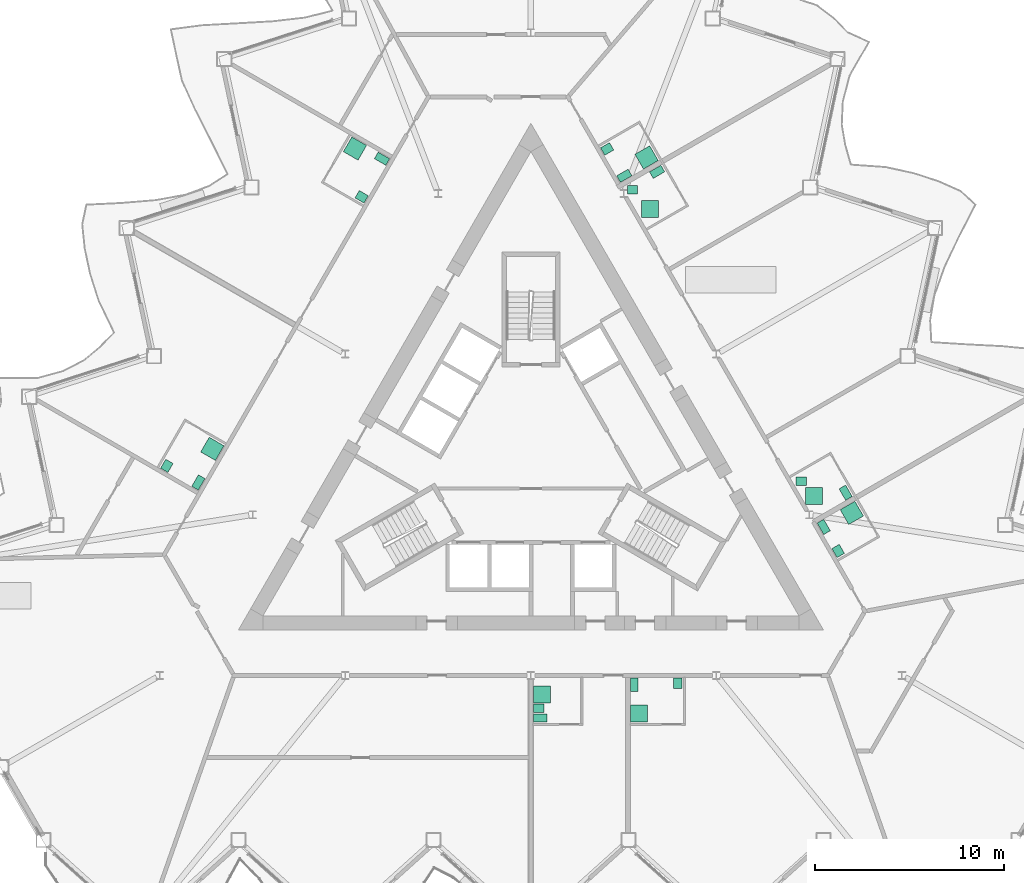
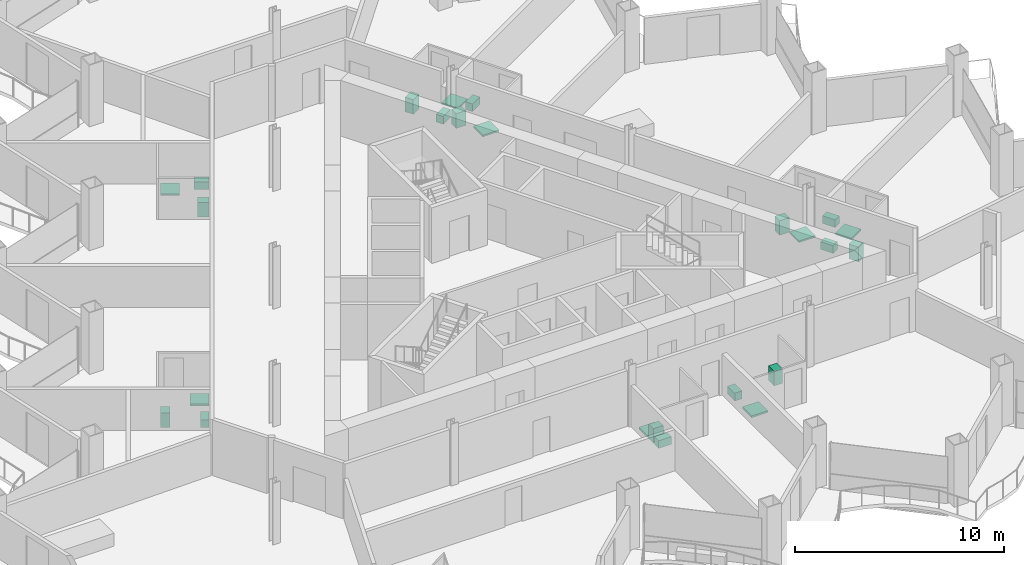
# One storey, part 21 of 22: 24 sanitary terminals.
"""IFC4 building model written with IfcOpenShell, lengths in metres."""

from ifc_helpers import new_model, si_unit, direction, frame, origin, origin_2d, place, context, subcontext, project, spatial, rectangle, extrude, material, type_object, element, save


model = new_model("IFC4")

# Units and contexts
model_context = context("Model", 3, precision=1e-05, world=origin(), true_north=direction((0.0, 1.0)))
body_context = subcontext(model_context, "Body", "Model", "MODEL_VIEW")
ifc_project = project(units=[si_unit("LENGTHUNIT", "METRE"), si_unit("AREAUNIT", "SQUARE_METRE"), si_unit("VOLUMEUNIT", "CUBIC_METRE"), si_unit("PLANEANGLEUNIT", "RADIAN"), si_unit("MASSUNIT", "GRAM", prefix="KILO")], contexts=[model_context])

# Site, building, storey
site_placement = place(None, origin())
site = spatial("IfcSite", under=ifc_project, at=site_placement, CompositionType="ELEMENT")
building_placement = place(site_placement, origin())
building = spatial("IfcBuilding", under=site, at=building_placement, Name="Cormorant Prow Tower", CompositionType="ELEMENT")
storey_placement = place(building_placement, frame((0.0, 0.0, 198.0)))
storey = spatial("IfcBuildingStorey", under=building, at=storey_placement, Name="L43", CompositionType="ELEMENT", Elevation=198.0)

# Sanitary terminals
ifc_material_1 = material(Name="Vitreous china")
sanitary_terminal_type_1 = type_object("IfcSanitaryTerminalType", Name="Shower tray 900x900", PredefinedType="SHOWER", material=ifc_material_1)
for number, where, z_axis, x_axis, name in (
    (1, (0.594970703125, -12.35400390625, 0.0), (0.0, 0.0, 1.0), (1.0, 0.0, 0.0), "Shower tray"),
    (2, (5.7333984375, -13.35400390625, 0.0), (0.0, 0.0, 1.0), (0.0, 1.0, 0.0), "Shower tray"),
    (3, (17.0009765625, -2.738525390625, 0.0), (0.0, 0.0, 1.0), (0.5, -0.866025403784, 0.0), "Shower tray"),
    (4, (14.996826171875, -1.845947265625, 0.0), (0.0, 0.0, 1.0), (1.0, 0.0, 0.0), "Shower tray"),
    (5, (6.305419921875, 13.3662109375, 0.0), (0.0, 0.0, 1.0), (1.0, 0.0, 0.0), "Shower tray"),
    (6, (6.12890625, 16.09228515625, 0.0), (0.0, 0.0, 1.0), (-0.866025403784, -0.5, 0.0), "Shower tray"),
    (7, (-9.322021484375, 16.56201171875, 0.0), (0.0, 0.0, 1.0), (0.866025403784, -0.5, 0.0), "Shower tray"),
    (8, (-16.877685546875, 0.654541015625, 0.0), (0.0, 0.0, 1.0), (-0.5, -0.866025403784, 0.0), "Shower tray"),
):
    element("IfcSanitaryTerminal", number, at=place(storey_placement, frame(where, z_axis=z_axis, x_axis=x_axis)), inside=storey, type_object=sanitary_terminal_type_1, Name=name, PredefinedType="SHOWER", context=body_context, shape_type="SweptSolid", body=[
        extrude(rectangle(XDim=0.89990234375, YDim=0.89990234375, at=origin_2d()), origin(), (0.0, 0.0, 1.0), 0.10009765625),
    ])
ifc_material_2 = material(Name="Vitreous china")
sanitary_terminal_type_2 = type_object("IfcSanitaryTerminalType", Name="Wash basin 550x450", PredefinedType="WASHHANDBASIN", material=ifc_material_2)
for number, where, z_axis, x_axis, name in (
    (9, (0.419921875, -13.078857421875, 0.0), (0.0, 0.0, 1.0), (1.0, 0.0, 0.0), "Wash basin"),
    (10, (7.7685546875, -11.768798828125, 0.0), (0.0, 0.0, 1.0), (0.0, -1.0, 0.0), "Wash basin"),
    (11, (16.27734375, -4.75537109375, 0.0), (0.0, 0.0, 1.0), (-0.5, 0.866025403784, 0.0), "Wash basin"),
    (12, (14.32177734375, -1.07080078125, 0.0), (0.0, 0.0, 1.0), (1.0, 0.0, 0.0), "Wash basin"),
    (13, (5.380615234375, 14.39111328125, 0.0), (0.0, 0.0, 1.0), (1.0, 0.0, 0.0), "Wash basin"),
    (14, (4.038818359375, 16.542724609375, 0.0), (0.0, 0.0, 1.0), (0.866025403784, 0.5, 0.0), "Wash basin"),
    (15, (-8.966796875, 14.007080078125, 0.0), (0.0, 0.0, 1.0), (-0.866025403784, 0.5, 0.0), "Wash basin"),
    (16, (-19.286376953125, -0.2470703125, 0.0), (0.0, 0.0, 1.0), (0.5, 0.866025403784, 0.0), "Wash basin"),
):
    element("IfcSanitaryTerminal", number, at=place(storey_placement, frame(where, z_axis=z_axis, x_axis=x_axis)), inside=storey, type_object=sanitary_terminal_type_2, Name=name, PredefinedType="WASHHANDBASIN", context=body_context, shape_type="SweptSolid", body=[
        extrude(rectangle(XDim=0.550048828125, YDim=0.449951171875, at=origin_2d()), origin(), (0.0, 0.0, 1.0), 0.85009765625),
    ])
ifc_material_3 = material(Name="Vitreous china")
sanitary_terminal_type_3 = type_object("IfcSanitaryTerminalType", Name="Water closet 400x700", PredefinedType="WCSEAT", material=ifc_material_3)
for number, where, z_axis, x_axis, name in (
    (17, (0.4951171875, -13.60400390625, 0.0), (0.0, 0.0, 1.0), (0.0, 1.0, 0.0), "Water closet"),
    (18, (5.4833984375, -11.843994140625, 0.0), (0.0, 0.0, 1.0), (1.0, 0.0, 0.0), "Water closet"),
    (19, (15.51318359375, -3.48193359375, 0.0), (0.0, 0.0, 1.0), (0.866025403784, 0.5, 0.0), "Water closet"),
    (20, (16.67236328125, -1.66943359375, 0.0), (0.0, 0.0, 1.0), (-0.866025403784, -0.5, 0.0), "Water closet"),
    (21, (6.685302734375, 15.328369140625, 0.0), (0.0, 0.0, 1.0), (0.5, -0.866025403784, 0.0), "Water closet"),
    (22, (4.946044921875, 15.120849609375, 0.0), (0.0, 0.0, 1.0), (-0.5, 0.866025403784, 0.0), "Water closet"),
    (23, (-7.88916015625, 16.0234375, 0.0), (0.0, 0.0, 1.0), (-0.5, -0.866025403784, 0.0), "Water closet"),
    (24, (-17.6162109375, -1.12451171875, 0.0), (0.0, 0.0, 1.0), (-0.866025403784, 0.5, 0.0), "Water closet"),
):
    element("IfcSanitaryTerminal", number, at=place(storey_placement, frame(where, z_axis=z_axis, x_axis=x_axis)), inside=storey, type_object=sanitary_terminal_type_3, Name=name, PredefinedType="WCSEAT", context=body_context, shape_type="SweptSolid", body=[
        extrude(rectangle(XDim=0.39990234375, YDim=0.699951171875, at=origin_2d()), origin(), (0.0, 0.0, 1.0), 0.449951171875),
    ])

save(model, "model.ifc")
